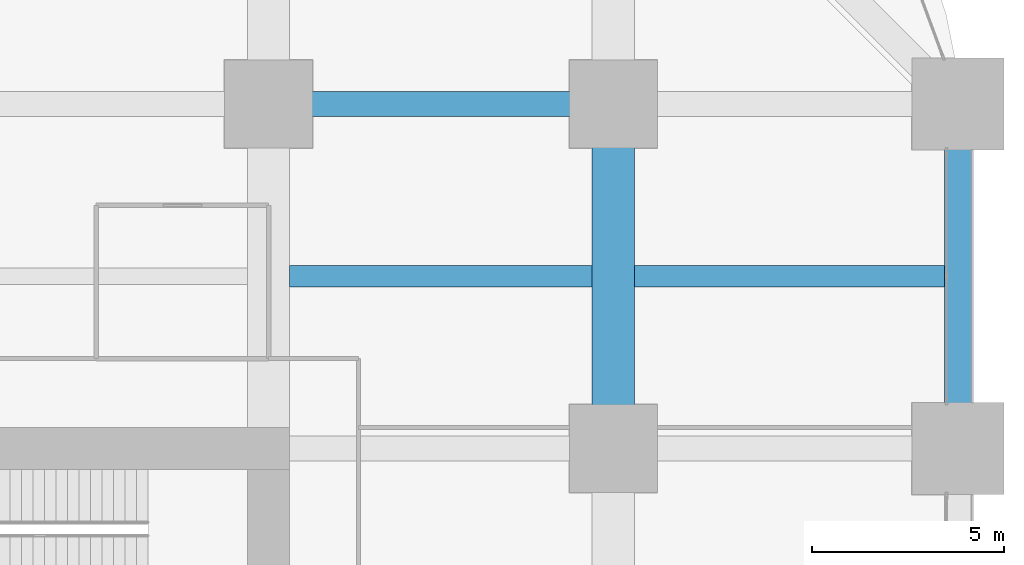
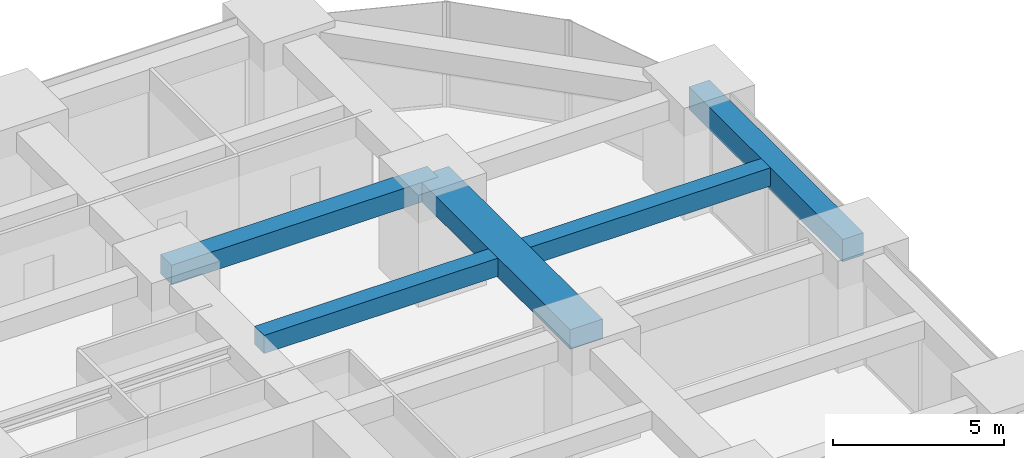
# One storey, part 33 of 44: 5 beams.
"""IFC4 building model written with IfcOpenShell, lengths in metres."""

from ifc_helpers import new_model, si_unit, direction, frame, origin, origin_2d, place, context, subcontext, project, spatial, rectangle, extrude, material, material_profile, profile_set, type_object, element, save


model = new_model("IFC4")

# Units and contexts
model_context = context("Model", 3, precision=1e-05, world=origin(), true_north=direction((0.0, 1.0)))
body_context = subcontext(model_context, "Body", "Model", "MODEL_VIEW")
ifc_project = project(units=[si_unit("LENGTHUNIT", "METRE"), si_unit("AREAUNIT", "SQUARE_METRE"), si_unit("VOLUMEUNIT", "CUBIC_METRE"), si_unit("PLANEANGLEUNIT", "RADIAN"), si_unit("MASSUNIT", "GRAM", prefix="KILO")], contexts=[model_context])

# Site, building, storey
site_placement = place(None, origin())
site = spatial("IfcSite", under=ifc_project, at=site_placement, CompositionType="ELEMENT")
building_placement = place(site_placement, origin())
building = spatial("IfcBuilding", under=site, at=building_placement, Name="Zorevar Civic Tower", CompositionType="ELEMENT")
storey_placement = place(building_placement, frame((0.0, 0.0, 35.800048828125)))
storey = spatial("IfcBuildingStorey", under=building, at=storey_placement, Name="L08", CompositionType="ELEMENT", Elevation=35.800048828125)

# Beams
ifc_material_1 = material(Name="Concrete C50/60", Category="concrete")
ifc_material_profile_1 = material_profile(ifc_material_1, rectangle(XDim=1.10009765625, YDim=0.699951171875, at=origin_2d()), Name="RC 1100x700")
ifc_profile_set_1 = profile_set([ifc_material_profile_1], Name="Concrete C50/60")
beam_type_1 = type_object("IfcBeamType", Name="Beam RC 1100x700", PredefinedType="BEAM", material=ifc_profile_set_1)
beam_1_placement = place(storey_placement, frame((54.0, 36.0, 3.39990234375), z_axis=(0.0, 1.0, 0.0), x_axis=(-1.0, 0.0, 0.0)))
element("IfcBeam", 1, at=beam_1_placement, inside=storey, type_object=beam_type_1, Name="Girder L09", PredefinedType="BEAM", context=body_context, shape_type="SweptSolid", body=[
    extrude(rectangle(XDim=1.10009765625, YDim=0.699951171875, at=origin_2d()), origin(), (0.0, 0.0, 1.0), 9.0),
])
ifc_material_2 = material(Name="Concrete C50/60", Category="concrete")
ifc_material_profile_2 = material_profile(ifc_material_2, rectangle(XDim=0.550048828125, YDim=0.64990234375, at=origin_2d()), Name="RC 550x650")
ifc_profile_set_2 = profile_set([ifc_material_profile_2], Name="Concrete C50/60")
beam_type_2 = type_object("IfcBeamType", Name="Beam RC 550x650", PredefinedType="BEAM", material=ifc_profile_set_2)
beam_2_placement = place(storey_placement, frame((45.550048828125, 40.5, 3.425048828125), z_axis=(1.0, 0.0, 0.0), x_axis=(0.0, 1.0, 0.0)))
element("IfcBeam", 2, at=beam_2_placement, inside=storey, type_object=beam_type_2, Name="Secondary beam L09", PredefinedType="BEAM", context=body_context, shape_type="SweptSolid", body=[
    extrude(rectangle(XDim=0.550048828125, YDim=0.64990234375, at=origin_2d()), origin(), (0.0, 0.0, 1.0), 7.89990234375),
])
beam_3_placement = place(storey_placement, frame((54.550048828125, 40.5, 3.425048828125), z_axis=(1.0, 0.0, 0.0), x_axis=(0.0, 1.0, 0.0)))
element("IfcBeam", 3, at=beam_3_placement, inside=storey, type_object=beam_type_2, Name="Secondary beam L09", PredefinedType="BEAM", context=body_context, shape_type="SweptSolid", body=[
    extrude(rectangle(XDim=0.550048828125, YDim=0.64990234375, at=origin_2d()), origin(), (0.0, 0.0, 1.0), 8.099853515625),
])
ifc_material_3 = material(Name="Concrete C50/60", Category="concrete")
ifc_material_profile_3 = material_profile(ifc_material_3, rectangle(XDim=0.64990234375, YDim=0.699951171875, at=origin_2d()), Name="RC 650x700")
ifc_profile_set_3 = profile_set([ifc_material_profile_3], Name="Concrete C50/60")
beam_type_3 = type_object("IfcBeamType", Name="Beam RC 650x700", PredefinedType="BEAM", material=ifc_profile_set_3)
beam_4_placement = place(storey_placement, frame((45.0, 45.0, 3.39990234375), z_axis=(1.0, 0.0, 0.0), x_axis=(0.0, 1.0, 0.0)))
element("IfcBeam", 4, at=beam_4_placement, inside=storey, type_object=beam_type_3, Name="Girder L09", PredefinedType="BEAM", context=body_context, shape_type="SweptSolid", body=[
    extrude(rectangle(XDim=0.64990234375, YDim=0.699951171875, at=origin_2d()), origin(), (0.0, 0.0, 1.0), 9.0),
])
ifc_material_4 = material(Name="Concrete C50/60", Category="concrete")
ifc_material_profile_4 = material_profile(ifc_material_4, rectangle(XDim=0.699951171875, YDim=0.800048828125, at=origin_2d()), Name="RC 700x800")
ifc_profile_set_4 = profile_set([ifc_material_profile_4], Name="Concrete C50/60")
beam_type_4 = type_object("IfcBeamType", Name="Edge beam RC 700x800", PredefinedType="SPANDREL", material=ifc_profile_set_4)
beam_5_placement = place(storey_placement, frame((63.0, 36.0, 3.349853515625), z_axis=(0.0, 1.0, 0.0), x_axis=(-1.0, 0.0, 0.0)))
element("IfcBeam", 5, at=beam_5_placement, inside=storey, type_object=beam_type_4, Name="Edge beam L09", PredefinedType="SPANDREL", context=body_context, shape_type="SweptSolid", body=[
    extrude(rectangle(XDim=0.699951171875, YDim=0.800048828125, at=origin_2d()), origin(), (0.0, 0.0, 1.0), 9.0),
])

save(model, "model.ifc")
